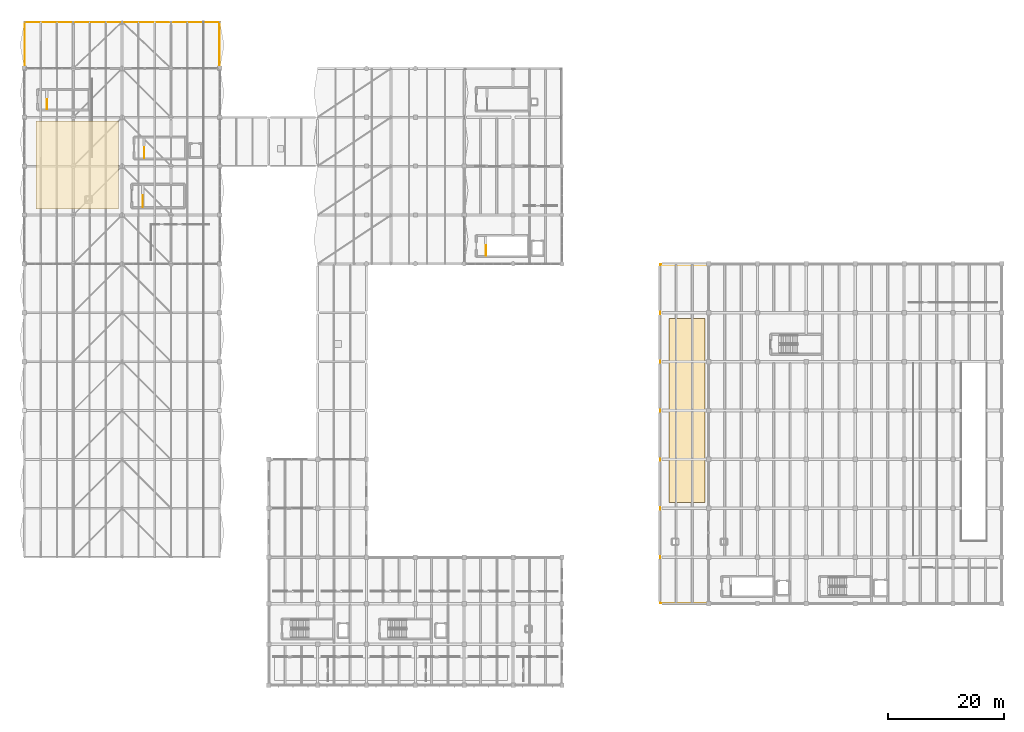
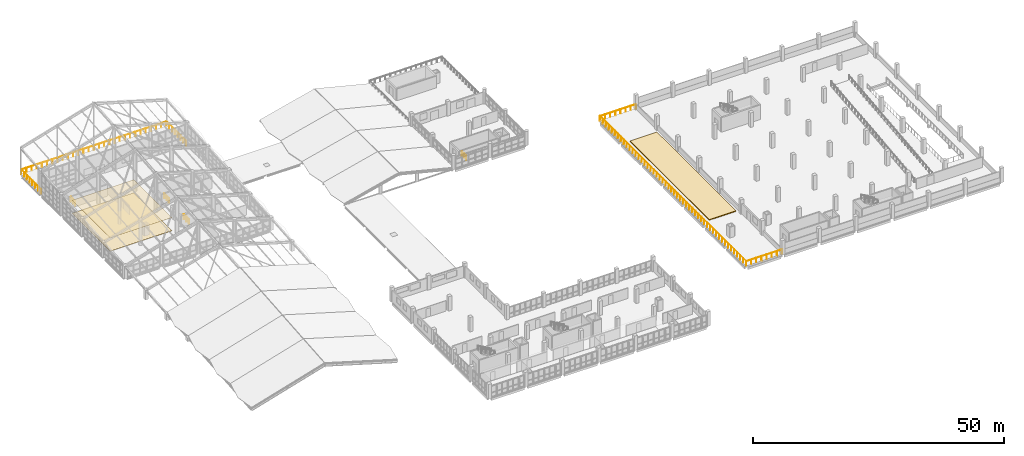
# One storey, part 90 of 95: 6 railings, 3 coverings.
"""IFC4 building model written with IfcOpenShell, lengths in metres."""

import ifcopenshell
import ifcopenshell.guid

model = None  # the IFC model being written
_history = None  # IfcOwnerHistory: only IFC2X3 demands one
_inside = {}  # id of a spatial element -> (the spatial element, [elements in it])
_under = {}  # id of a project, library or spatial element -> (it, [spatial elements below it])
_declared = {}  # id of a project -> (the project, [libraries it declares])
_typed = {}  # id of a type object -> (the type object, [elements of that type])
_made_of = {}  # id of a material, layer set ... -> (it, [elements and type objects made of it])


def new_model(schema):
    """Start an empty IFC model of exactly this schema.

    Asked for "IFC4X3", IfcOpenShell would pick the latest addendum, in which some entities
    have other attributes; the version numbers below select the first issue.
    IFC2X3 requires an IfcOwnerHistory on every rooted entity: one is made here for all.
    """
    global model, _history
    if schema == "IFC4X3":
        model = ifcopenshell.file(schema_version=(4, 3, 0, 0))
    else:
        model = ifcopenshell.file(schema=schema)
    _inside.clear()
    _under.clear()
    _declared.clear()
    _typed.clear()
    _made_of.clear()
    _history = None
    if model.schema == "IFC2X3":
        org = make("IfcOrganization", Name="unknown")
        user = make(
            "IfcPersonAndOrganization",
            ThePerson=make("IfcPerson", FamilyName="unknown"),
            TheOrganization=org,
        )
        app = make(
            "IfcApplication",
            ApplicationDeveloper=org,
            Version="unknown",
            ApplicationFullName="unknown",
            ApplicationIdentifier="unknown",
        )
        _history = make(
            "IfcOwnerHistory",
            OwningUser=user,
            OwningApplication=app,
            ChangeAction="ADDED",
            CreationDate=0,
        )
    return model


def make(cls, **values):
    """One entity of the class cls with the attributes given. An attribute that is None is left unset."""
    return model.create_entity(
        cls, **{name: value for name, value in values.items() if value is not None}
    )


def rooted(cls, **values):
    """An entity with a GlobalId (a new one), such as an element, a storey or a relation."""
    return make(cls, GlobalId=ifcopenshell.guid.new(), OwnerHistory=_history, **values)


def si_unit(unit_type, name, prefix=None):
    """IfcSIUnit, for example si_unit("LENGTHUNIT", "METRE", prefix="MILLI")."""
    return make("IfcSIUnit", UnitType=unit_type, Prefix=prefix, Name=name)


def assignment(units):
    """IfcUnitAssignment: the units of a project."""
    return None if units is None else make("IfcUnitAssignment", Units=units)


def point(xyz):
    """IfcCartesianPoint."""
    return None if xyz is None else make("IfcCartesianPoint", Coordinates=xyz)


def direction(xyz):
    """IfcDirection."""
    return None if xyz is None else make("IfcDirection", DirectionRatios=xyz)


def frame(location, z_axis=None, x_axis=None):
    """IfcAxis2Placement3D, a coordinate frame: its origin and axes. An axis left out is left unset."""
    return make(
        "IfcAxis2Placement3D",
        Location=point(location),
        Axis=direction(z_axis),
        RefDirection=direction(x_axis),
    )


def frame_2d(location, x_axis=None):
    """IfcAxis2Placement2D, a coordinate frame in the plane: its origin and x axis."""
    return make(
        "IfcAxis2Placement2D", Location=point(location), RefDirection=direction(x_axis)
    )


def origin():
    """The frame at (0, 0, 0) with its axes left unset."""
    return frame((0.0, 0.0, 0.0))


def origin_2d():
    """The frame at (0, 0) in the plane with its x axis left unset."""
    return frame_2d((0.0, 0.0))


def place(relative_to, where):
    """IfcLocalPlacement: puts the frame where relative to a parent placement (None: the world)."""
    return make(
        "IfcLocalPlacement", PlacementRelTo=relative_to, RelativePlacement=where
    )


def context(
    kind, dimensions, precision=None, world=None, true_north=None, identifier=None
):
    """IfcGeometricRepresentationContext, for example the 3D "Model" context."""
    return make(
        "IfcGeometricRepresentationContext",
        ContextIdentifier=identifier,
        ContextType=kind,
        CoordinateSpaceDimension=dimensions,
        Precision=precision,
        WorldCoordinateSystem=world,
        TrueNorth=true_north,
    )


def subcontext(parent, identifier, kind, view, scale=None):
    """IfcGeometricRepresentationSubContext, for example "Body" below "Model"."""
    return make(
        "IfcGeometricRepresentationSubContext",
        ContextIdentifier=identifier,
        ContextType=kind,
        ParentContext=parent,
        TargetScale=scale,
        TargetView=view,
    )


def project(units=None, contexts=None):
    """IfcProject with its units and contexts."""
    return rooted(
        "IfcProject",
        Name="project",
        RepresentationContexts=contexts,
        UnitsInContext=assignment(units),
    )


def spatial(cls, under=None, at=None, **own):
    """A site, building, storey or space (cls), placed at a placement, below another one or the project."""
    s = rooted(cls, ObjectPlacement=at, **own)
    if under is not None:
        _under.setdefault(under.id(), (under, []))[1].append(s)
    return s


def polyline(points):
    """IfcPolyline through the points."""
    return make("IfcPolyline", Points=[point(p) for p in points])


def profile(cls, at=None, kind="AREA", **sizes):
    """A parametric profile (cls). Its sizes go by their IFC names, for example OverallWidth=200.0."""
    return make(cls, ProfileType=kind, Position=at, **sizes)


def circle(**sizes):
    """IfcCircleProfileDef."""
    return profile("IfcCircleProfileDef", **sizes)


def outline(outer, holes=None, kind="AREA"):
    """IfcArbitraryClosedProfileDef: a profile drawn as a closed curve; with holes, ...WithVoids."""
    if holes is None:
        return make("IfcArbitraryClosedProfileDef", ProfileType=kind, OuterCurve=outer)
    return make(
        "IfcArbitraryProfileDefWithVoids",
        ProfileType=kind,
        OuterCurve=outer,
        InnerCurves=holes,
    )


def extrude(swept, where, along, depth):
    """IfcExtrudedAreaSolid: the profile swept, set in the frame where, extruded along a direction by depth."""
    return make(
        "IfcExtrudedAreaSolid",
        SweptArea=swept,
        Position=where,
        ExtrudedDirection=direction(along),
        Depth=depth,
    )


def shape(context_of_items, identifier, shape_type, items):
    """IfcShapeRepresentation: the items that make up one representation, for example the "Body"."""
    return make(
        "IfcShapeRepresentation",
        ContextOfItems=context_of_items,
        RepresentationIdentifier=identifier,
        RepresentationType=shape_type,
        Items=items,
    )


def material(Name=None, Category=None):
    """IfcMaterial."""
    return make("IfcMaterial", Name=Name, Category=Category)


def layer(
    of_material, thickness, ventilated=None, Name=None, Category=None, Priority=None
):
    """IfcMaterialLayer: one layer of a wall or slab, of a material (None: an air gap)."""
    return make(
        "IfcMaterialLayer",
        Material=of_material,
        LayerThickness=thickness,
        IsVentilated=ventilated,
        Name=Name,
        Category=Category,
        Priority=Priority,
    )


def layer_set(layers, Name=None):
    """IfcMaterialLayerSet."""
    return make("IfcMaterialLayerSet", MaterialLayers=layers, LayerSetName=Name)


def made_of(thing, what):
    """Note that an element or type object is made of a material, layer set ...; save() writes the relation."""
    if what is not None:
        _made_of.setdefault(what.id(), (what, []))[1].append(thing)
    return thing


def type_object(cls, material=None, **own):
    """A type object (cls), such as IfcWallType, which elements share."""
    return made_of(rooted(cls, **own), material)


def element(
    cls,
    number,
    at=None,
    inside=None,
    cuts=None,
    type_object=None,
    material=None,
    context=None,
    identifier="Body",
    shape_type=None,
    held_by="IfcProductDefinitionShape",
    body=None,
    shapes=None,
    **own,
):
    """One element of the class cls, such as IfcWall. Its Tag is "e" and its number.

    at: its placement. inside: the storey or other place that contains it. cuts: it is an
    opening in that element (IfcRelVoidsElement). A single representation is given by context,
    identifier, shape_type and body (its items); several are given by shapes. held_by: the class
    of the entity that holds the representations. save() writes the other relations.
    """
    e = rooted(cls, Tag="e%d" % number, ObjectPlacement=at, **own)
    if body is not None:
        shapes = [shape(context, identifier, shape_type, body)]
    if shapes is not None:
        e.Representation = make(held_by, Representations=shapes)
    if inside is not None:
        _inside.setdefault(inside.id(), (inside, []))[1].append(e)
    if cuts is not None:
        rooted(
            "IfcRelVoidsElement", RelatingBuildingElement=cuts, RelatedOpeningElement=e
        )
    if type_object is not None:
        _typed.setdefault(type_object.id(), (type_object, []))[1].append(e)
    return made_of(e, material)


def aggregate(whole, parts):
    """IfcRelAggregates: a whole, such as a stair, and the parts it consists of."""
    return rooted("IfcRelAggregates", RelatingObject=whole, RelatedObjects=parts)


def save(model, path):
    """Write the relations noted so far, then the file.

    IfcRelAggregates (storeys below a building ...), IfcRelContainedInSpatialStructure (elements
    in a storey), IfcRelDefinesByType, IfcRelAssociatesMaterial and IfcRelDeclares: one each for
    every whole, place, type object, material and project.
    """
    for whole, parts in _under.values():
        aggregate(whole, parts)
    for where, things in _inside.values():
        rooted(
            "IfcRelContainedInSpatialStructure",
            RelatedElements=things,
            RelatingStructure=where,
        )
    for kind, things in _typed.values():
        rooted("IfcRelDefinesByType", RelatedObjects=things, RelatingType=kind)
    for what, things in _made_of.values():
        rooted("IfcRelAssociatesMaterial", RelatedObjects=things, RelatingMaterial=what)
    for by, libraries in _declared.values():
        rooted("IfcRelDeclares", RelatingContext=by, RelatedDefinitions=libraries)
    model.write(path)


model = new_model("IFC4")

# Units and contexts
model_context = context("Model", 3, precision=1e-05, world=origin(), true_north=direction((0.0, 1.0)))
body_context = subcontext(model_context, "Body", "Model", "MODEL_VIEW")
ifc_project = project(units=[si_unit("LENGTHUNIT", "METRE"), si_unit("AREAUNIT", "SQUARE_METRE"), si_unit("VOLUMEUNIT", "CUBIC_METRE"), si_unit("PLANEANGLEUNIT", "RADIAN"), si_unit("MASSUNIT", "GRAM", prefix="KILO"), si_unit("THERMODYNAMICTEMPERATUREUNIT", "KELVIN"), si_unit("POWERUNIT", "WATT")], contexts=[model_context])

# Site, building, storey
site_placement = place(None, origin())
site = spatial("IfcSite", under=ifc_project, at=site_placement, CompositionType="ELEMENT")
building_placement = place(site_placement, origin())
building = spatial("IfcBuilding", under=site, at=building_placement, Name="Mavoryth Pier Ferry Terminal", CompositionType="ELEMENT")
storey_placement = place(building_placement, frame((0.0, 0.0, 9.60009765625)))
storey = spatial("IfcBuildingStorey", under=building, at=storey_placement, Name="L02", CompositionType="ELEMENT", Elevation=9.60009765625)

# Coverings
ifc_material_1 = material(Name="FSC Oak Acoustic Linear Slat Ceiling")
ifc_layer_1 = layer(ifc_material_1, 0.0380859375, Name="FSC Oak Acoustic Linear Slat Ceiling")
ifc_layer_set_1 = layer_set([ifc_layer_1], Name="FSC Oak Acoustic Linear Slat Ceiling - Ceil-TimberSlat-38")
covering_type_1 = type_object("IfcCoveringType", Name="Ceil-TimberSlat-38", PredefinedType="CEILING", material=ifc_layer_set_1)
covering_1_placement = place(storey_placement, frame((0.0, 0.0, 3.201904296875)))
element("IfcCovering", 1, at=covering_1_placement, inside=storey, type_object=covering_type_1, Name="Covering COV-L02-010", PredefinedType="CEILING", context=body_context, shape_type="SweptSolid", body=[
    extrude(outline(polyline([(2.0, 81.800048828125), (16.199951171875, 81.800048828125), (16.199951171875, 97.0), (2.0, 97.0), (2.0, 81.800048828125)])), origin(), (0.0, 0.0, 1.0), 0.0380859375),
])
ifc_material_2 = material(Name="Polished Pentelic Marble-Chip Terrazzo", Category="masonry")
ifc_layer_2 = layer(ifc_material_2, 0.054931640625, Name="Polished Pentelic Marble-Chip Terrazzo", Category="masonry")
ifc_layer_set_2 = layer_set([ifc_layer_2], Name="Polished Pentelic Marble-Chip Terrazzo - Floor-PentelicTerrazzo-55")
covering_type_2 = type_object("IfcCoveringType", Name="Floor-PentelicTerrazzo-55", PredefinedType="FLOORING", material=ifc_layer_set_2)
covering_2_placement = place(storey_placement, origin())
element("IfcCovering", 2, at=covering_2_placement, inside=storey, type_object=covering_type_2, Name="Covering COV-L02-009", PredefinedType="FLOORING", context=body_context, shape_type="SweptSolid", body=[
    extrude(outline(polyline([(2.0, 81.800048828125), (16.199951171875, 81.800048828125), (16.199951171875, 97.0), (2.0, 97.0), (2.0, 81.800048828125)])), origin(), (0.0, 0.0, 1.0), 0.054931640625),
])

# Railings
ifc_material_3 = material(Name="Bronze-Anodised Aluminium and Glass Balustrade", Category="aluminium")
railing_type_1 = type_object("IfcRailingType", Name="Guard-Atrium-Bronze1150", PredefinedType="GUARDRAIL", material=ifc_material_3)
railing_1_placement = place(storey_placement, frame((20.35009765625, 82.199951171875, 0.0)))
element("IfcRailing", 3, at=railing_1_placement, inside=storey, type_object=railing_type_1, Name="L02 ST14 top well guard 1", PredefinedType="GUARDRAIL", context=body_context, shape_type="SweptSolid", body=[
    extrude(circle(Radius=0.02392578125, at=origin_2d()), frame((0.0, 0.0, 1.1259765625), z_axis=(0.0, 1.0, 0.0), x_axis=(-1.0, 0.0, 0.0)), (0.0, 0.0, 1.0), 1.949951171875),
    extrude(circle(Radius=0.02099609375, at=origin_2d()), origin(), (0.0, 0.0, 1.0), 1.101806640625),
    extrude(circle(Radius=0.02099609375, at=origin_2d()), frame((0.0, 0.97509765625, 0.0)), (0.0, 0.0, 1.0), 1.101806640625),
    extrude(circle(Radius=0.02099609375, at=origin_2d()), frame((0.0, 1.949951171875, 0.0)), (0.0, 0.0, 1.0), 1.101806640625),
])
ifc_material_4 = material(Name="Painted Galvanised Steel Balustrade", Category="steel")
railing_type_2 = type_object("IfcRailingType", Name="Guard-Stair-Steel1100", PredefinedType="GUARDRAIL", material=ifc_material_4)
railing_2_placement = place(storey_placement, frame((20.60009765625, 90.60009765625, 0.0)))
element("IfcRailing", 4, at=railing_2_placement, inside=storey, type_object=railing_type_2, Name="L02 ST02 top well guard 1", PredefinedType="GUARDRAIL", context=body_context, shape_type="SweptSolid", body=[
    extrude(circle(Radius=0.02392578125, at=origin_2d()), frame((0.0, 0.0, 1.076171875), z_axis=(0.0, 1.0, 0.0), x_axis=(-1.0, 0.0, 0.0)), (0.0, 0.0, 1.0), 1.7998046875),
    extrude(circle(Radius=0.02099609375, at=origin_2d()), origin(), (0.0, 0.0, 1.0), 1.052001953125),
    extrude(circle(Radius=0.02099609375, at=origin_2d()), frame((0.0, 0.89990234375, 0.0)), (0.0, 0.0, 1.0), 1.052001953125),
    extrude(circle(Radius=0.02099609375, at=origin_2d()), frame((0.0, 1.7998046875, 0.0)), (0.0, 0.0, 1.0), 1.052001953125),
])
railing_3_placement = place(storey_placement, frame((3.89990234375, 99.0, 0.0)))
element("IfcRailing", 5, at=railing_3_placement, inside=storey, type_object=railing_type_2, Name="L02 ST03 top well guard 1", PredefinedType="GUARDRAIL", context=body_context, shape_type="SweptSolid", body=[
    extrude(circle(Radius=0.02392578125, at=origin_2d()), frame((0.0, 0.0, 1.076171875), z_axis=(0.0, 1.0, 0.0), x_axis=(-1.0, 0.0, 0.0)), (0.0, 0.0, 1.0), 1.699951171875),
    extrude(circle(Radius=0.02099609375, at=origin_2d()), origin(), (0.0, 0.0, 1.0), 1.052001953125),
    extrude(circle(Radius=0.02099609375, at=origin_2d()), frame((0.0, 0.85009765625, 0.0)), (0.0, 0.0, 1.0), 1.052001953125),
    extrude(circle(Radius=0.02099609375, at=origin_2d()), frame((0.0, 1.699951171875, 0.0)), (0.0, 0.0, 1.0), 1.052001953125),
])
railing_4_placement = place(storey_placement, frame((79.35009765625, 73.800048828125, 0.0)))
element("IfcRailing", 6, at=railing_4_placement, inside=storey, type_object=railing_type_2, Name="L02 ST05 top well guard 1", PredefinedType="GUARDRAIL", context=body_context, shape_type="SweptSolid", body=[
    extrude(circle(Radius=0.02392578125, at=origin_2d()), frame((0.0, 0.0, 1.076171875), z_axis=(0.0, 1.0, 0.0), x_axis=(-1.0, 0.0, 0.0)), (0.0, 0.0, 1.0), 1.75),
    extrude(circle(Radius=0.02099609375, at=origin_2d()), origin(), (0.0, 0.0, 1.0), 1.052001953125),
    extrude(circle(Radius=0.02099609375, at=origin_2d()), frame((0.0, 0.875, 0.0)), (0.0, 0.0, 1.0), 1.052001953125),
    extrude(circle(Radius=0.02099609375, at=origin_2d()), frame((0.0, 1.75, 0.0)), (0.0, 0.0, 1.0), 1.052001953125),
])
ifc_material_5 = material(Name="Stainless Steel and Laminated Glass Guardrail", Category="steel")
railing_type_3 = type_object("IfcRailingType", Name="Guard-Terrace-Glass1120", PredefinedType="GUARDRAIL", material=ifc_material_5)
railing_5_placement = place(storey_placement, frame((0.080078125, 106.050048828125, 0.0)))
element("IfcRailing", 7, at=railing_5_placement, inside=storey, type_object=railing_type_3, Name="Guardrail GRD-L02-001", PredefinedType="GUARDRAIL", context=body_context, shape_type="SweptSolid", body=[
    extrude(circle(Radius=0.02392578125, at=origin_2d()), frame((0.0, 0.0, 1.09619140625), z_axis=(0.0, 1.0, 0.0), x_axis=(-1.0, 0.0, 0.0)), (0.0, 0.0, 1.0), 7.869873046875),
    extrude(circle(Radius=0.02392578125, at=origin_2d()), frame((0.0, 7.869873046875, 1.09619140625), z_axis=(1.0, 0.0, 0.0), x_axis=(0.0, 1.0, 0.0)), (0.0, 0.0, 1.0), 33.43994140625),
    extrude(circle(Radius=0.02392578125, at=origin_2d()), frame((33.43994140625, 7.869873046875, 1.09619140625), z_axis=(0.0, -1.0, 0.0), x_axis=(1.0, 0.0, 0.0)), (0.0, 0.0, 1.0), 7.869873046875),
    extrude(circle(Radius=0.02099609375, at=origin_2d()), origin(), (0.0, 0.0, 1.0), 1.072021484375),
    extrude(circle(Radius=0.02099609375, at=origin_2d()), frame((0.0, 1.124267578125, 0.0)), (0.0, 0.0, 1.0), 1.072021484375),
    extrude(circle(Radius=0.02099609375, at=origin_2d()), frame((0.0, 2.24853515625, 0.0)), (0.0, 0.0, 1.0), 1.072021484375),
    extrude(circle(Radius=0.02099609375, at=origin_2d()), frame((0.0, 3.372802734375, 0.0)), (0.0, 0.0, 1.0), 1.072021484375),
    extrude(circle(Radius=0.02099609375, at=origin_2d()), frame((0.0, 4.4970703125, 0.0)), (0.0, 0.0, 1.0), 1.072021484375),
    extrude(circle(Radius=0.02099609375, at=origin_2d()), frame((0.0, 5.621337890625, 0.0)), (0.0, 0.0, 1.0), 1.072021484375),
    extrude(circle(Radius=0.02099609375, at=origin_2d()), frame((0.0, 6.74560546875, 0.0)), (0.0, 0.0, 1.0), 1.072021484375),
    extrude(circle(Radius=0.02099609375, at=origin_2d()), frame((0.0, 7.869873046875, 0.0)), (0.0, 0.0, 1.0), 1.072021484375),
    extrude(circle(Radius=0.02099609375, at=origin_2d()), frame((1.1943359375, 7.869873046875, 0.0)), (0.0, 0.0, 1.0), 1.072021484375),
    extrude(circle(Radius=0.02099609375, at=origin_2d()), frame((2.388671875, 7.869873046875, 0.0)), (0.0, 0.0, 1.0), 1.072021484375),
    extrude(circle(Radius=0.02099609375, at=origin_2d()), frame((3.582763671875, 7.869873046875, 0.0)), (0.0, 0.0, 1.0), 1.072021484375),
    extrude(circle(Radius=0.02099609375, at=origin_2d()), frame((4.777099609375, 7.869873046875, 0.0)), (0.0, 0.0, 1.0), 1.072021484375),
    extrude(circle(Radius=0.02099609375, at=origin_2d()), frame((5.971435546875, 7.869873046875, 0.0)), (0.0, 0.0, 1.0), 1.072021484375),
    extrude(circle(Radius=0.02099609375, at=origin_2d()), frame((7.165771484375, 7.869873046875, 0.0)), (0.0, 0.0, 1.0), 1.072021484375),
    extrude(circle(Radius=0.02099609375, at=origin_2d()), frame((8.35986328125, 7.869873046875, 0.0)), (0.0, 0.0, 1.0), 1.072021484375),
    extrude(circle(Radius=0.02099609375, at=origin_2d()), frame((9.55419921875, 7.869873046875, 0.0)), (0.0, 0.0, 1.0), 1.072021484375),
    extrude(circle(Radius=0.02099609375, at=origin_2d()), frame((10.74853515625, 7.869873046875, 0.0)), (0.0, 0.0, 1.0), 1.072021484375),
    extrude(circle(Radius=0.02099609375, at=origin_2d()), frame((11.94287109375, 7.869873046875, 0.0)), (0.0, 0.0, 1.0), 1.072021484375),
    extrude(circle(Radius=0.02099609375, at=origin_2d()), frame((13.13720703125, 7.869873046875, 0.0)), (0.0, 0.0, 1.0), 1.072021484375),
    extrude(circle(Radius=0.02099609375, at=origin_2d()), frame((14.331298828125, 7.869873046875, 0.0)), (0.0, 0.0, 1.0), 1.072021484375),
    extrude(circle(Radius=0.02099609375, at=origin_2d()), frame((15.525634765625, 7.869873046875, 0.0)), (0.0, 0.0, 1.0), 1.072021484375),
    extrude(circle(Radius=0.02099609375, at=origin_2d()), frame((16.719970703125, 7.869873046875, 0.0)), (0.0, 0.0, 1.0), 1.072021484375),
    extrude(circle(Radius=0.02099609375, at=origin_2d()), frame((17.914306640625, 7.869873046875, 0.0)), (0.0, 0.0, 1.0), 1.072021484375),
    extrude(circle(Radius=0.02099609375, at=origin_2d()), frame((19.108642578125, 7.869873046875, 0.0)), (0.0, 0.0, 1.0), 1.072021484375),
    extrude(circle(Radius=0.02099609375, at=origin_2d()), frame((20.302734375, 7.869873046875, 0.0)), (0.0, 0.0, 1.0), 1.072021484375),
    extrude(circle(Radius=0.02099609375, at=origin_2d()), frame((21.4970703125, 7.869873046875, 0.0)), (0.0, 0.0, 1.0), 1.072021484375),
    extrude(circle(Radius=0.02099609375, at=origin_2d()), frame((22.69140625, 7.869873046875, 0.0)), (0.0, 0.0, 1.0), 1.072021484375),
    extrude(circle(Radius=0.02099609375, at=origin_2d()), frame((23.8857421875, 7.869873046875, 0.0)), (0.0, 0.0, 1.0), 1.072021484375),
    extrude(circle(Radius=0.02099609375, at=origin_2d()), frame((25.080078125, 7.869873046875, 0.0)), (0.0, 0.0, 1.0), 1.072021484375),
    extrude(circle(Radius=0.02099609375, at=origin_2d()), frame((26.274169921875, 7.869873046875, 0.0)), (0.0, 0.0, 1.0), 1.072021484375),
    extrude(circle(Radius=0.02099609375, at=origin_2d()), frame((27.468505859375, 7.869873046875, 0.0)), (0.0, 0.0, 1.0), 1.072021484375),
    extrude(circle(Radius=0.02099609375, at=origin_2d()), frame((28.662841796875, 7.869873046875, 0.0)), (0.0, 0.0, 1.0), 1.072021484375),
    extrude(circle(Radius=0.02099609375, at=origin_2d()), frame((29.857177734375, 7.869873046875, 0.0)), (0.0, 0.0, 1.0), 1.072021484375),
    extrude(circle(Radius=0.02099609375, at=origin_2d()), frame((31.05126953125, 7.869873046875, 0.0)), (0.0, 0.0, 1.0), 1.072021484375),
    extrude(circle(Radius=0.02099609375, at=origin_2d()), frame((32.24560546875, 7.869873046875, 0.0)), (0.0, 0.0, 1.0), 1.072021484375),
    extrude(circle(Radius=0.02099609375, at=origin_2d()), frame((33.43994140625, 7.869873046875, 0.0)), (0.0, 0.0, 1.0), 1.072021484375),
    extrude(circle(Radius=0.02099609375, at=origin_2d()), frame((33.43994140625, 6.74560546875, 0.0)), (0.0, 0.0, 1.0), 1.072021484375),
    extrude(circle(Radius=0.02099609375, at=origin_2d()), frame((33.43994140625, 5.621337890625, 0.0)), (0.0, 0.0, 1.0), 1.072021484375),
    extrude(circle(Radius=0.02099609375, at=origin_2d()), frame((33.43994140625, 4.4970703125, 0.0)), (0.0, 0.0, 1.0), 1.072021484375),
    extrude(circle(Radius=0.02099609375, at=origin_2d()), frame((33.43994140625, 3.372802734375, 0.0)), (0.0, 0.0, 1.0), 1.072021484375),
    extrude(circle(Radius=0.02099609375, at=origin_2d()), frame((33.43994140625, 2.24853515625, 0.0)), (0.0, 0.0, 1.0), 1.072021484375),
    extrude(circle(Radius=0.02099609375, at=origin_2d()), frame((33.43994140625, 1.124267578125, 0.0)), (0.0, 0.0, 1.0), 1.072021484375),
    extrude(circle(Radius=0.02099609375, at=origin_2d()), frame((33.43994140625, 0.0, 0.0)), (0.0, 0.0, 1.0), 1.072021484375),
])
railing_6_placement = place(storey_placement, frame((117.550048828125, 14.080078125, 0.0)))
element("IfcRailing", 8, at=railing_6_placement, inside=storey, type_object=railing_type_3, Name="Guardrail GRD-L02-006", PredefinedType="GUARDRAIL", context=body_context, shape_type="SweptSolid", body=[
    extrude(circle(Radius=0.02392578125, at=origin_2d()), frame((0.0, 0.0, 1.09619140625), z_axis=(-1.0, 0.0, 0.0), x_axis=(0.0, -1.0, 0.0)), (0.0, 0.0, 1.0), 8.27001953125),
    extrude(circle(Radius=0.02392578125, at=origin_2d()), frame((-8.27001953125, 0.0, 1.09619140625), z_axis=(0.0, 1.0, 0.0), x_axis=(-1.0, 0.0, 0.0)), (0.0, 0.0, 1.0), 58.239990234375),
    extrude(circle(Radius=0.02392578125, at=origin_2d()), frame((-8.27001953125, 58.239990234375, 1.09619140625), z_axis=(1.0, 0.0, 0.0), x_axis=(0.0, 1.0, 0.0)), (0.0, 0.0, 1.0), 8.27001953125),
    extrude(circle(Radius=0.02099609375, at=origin_2d()), origin(), (0.0, 0.0, 1.0), 1.072021484375),
    extrude(circle(Radius=0.02099609375, at=origin_2d()), frame((-1.181396484375, 0.0, 0.0)), (0.0, 0.0, 1.0), 1.072021484375),
    extrude(circle(Radius=0.02099609375, at=origin_2d()), frame((-2.36279296875, 0.0, 0.0)), (0.0, 0.0, 1.0), 1.072021484375),
    extrude(circle(Radius=0.02099609375, at=origin_2d()), frame((-3.544189453125, 0.0, 0.0)), (0.0, 0.0, 1.0), 1.072021484375),
    extrude(circle(Radius=0.02099609375, at=origin_2d()), frame((-4.725830078125, 0.0, 0.0)), (0.0, 0.0, 1.0), 1.072021484375),
    extrude(circle(Radius=0.02099609375, at=origin_2d()), frame((-5.9072265625, 0.0, 0.0)), (0.0, 0.0, 1.0), 1.072021484375),
    extrude(circle(Radius=0.02099609375, at=origin_2d()), frame((-7.088623046875, 0.0, 0.0)), (0.0, 0.0, 1.0), 1.072021484375),
    extrude(circle(Radius=0.02099609375, at=origin_2d()), frame((-8.27001953125, 0.0, 0.0)), (0.0, 0.0, 1.0), 1.072021484375),
    extrude(circle(Radius=0.02099609375, at=origin_2d()), frame((-8.27001953125, 1.1884765625, 0.0)), (0.0, 0.0, 1.0), 1.072021484375),
    extrude(circle(Radius=0.02099609375, at=origin_2d()), frame((-8.27001953125, 2.377197265625, 0.0)), (0.0, 0.0, 1.0), 1.072021484375),
    extrude(circle(Radius=0.02099609375, at=origin_2d()), frame((-8.27001953125, 3.565673828125, 0.0)), (0.0, 0.0, 1.0), 1.072021484375),
    extrude(circle(Radius=0.02099609375, at=origin_2d()), frame((-8.27001953125, 4.75439453125, 0.0)), (0.0, 0.0, 1.0), 1.072021484375),
    extrude(circle(Radius=0.02099609375, at=origin_2d()), frame((-8.27001953125, 5.94287109375, 0.0)), (0.0, 0.0, 1.0), 1.072021484375),
    extrude(circle(Radius=0.02099609375, at=origin_2d()), frame((-8.27001953125, 7.13134765625, 0.0)), (0.0, 0.0, 1.0), 1.072021484375),
    extrude(circle(Radius=0.02099609375, at=origin_2d()), frame((-8.27001953125, 8.320068359375, 0.0)), (0.0, 0.0, 1.0), 1.072021484375),
    extrude(circle(Radius=0.02099609375, at=origin_2d()), frame((-8.27001953125, 9.508544921875, 0.0)), (0.0, 0.0, 1.0), 1.072021484375),
    extrude(circle(Radius=0.02099609375, at=origin_2d()), frame((-8.27001953125, 10.697021484375, 0.0)), (0.0, 0.0, 1.0), 1.072021484375),
    extrude(circle(Radius=0.02099609375, at=origin_2d()), frame((-8.27001953125, 11.8857421875, 0.0)), (0.0, 0.0, 1.0), 1.072021484375),
    extrude(circle(Radius=0.02099609375, at=origin_2d()), frame((-8.27001953125, 13.07421875, 0.0)), (0.0, 0.0, 1.0), 1.072021484375),
    extrude(circle(Radius=0.02099609375, at=origin_2d()), frame((-8.27001953125, 14.262939453125, 0.0)), (0.0, 0.0, 1.0), 1.072021484375),
    extrude(circle(Radius=0.02099609375, at=origin_2d()), frame((-8.27001953125, 15.451416015625, 0.0)), (0.0, 0.0, 1.0), 1.072021484375),
    extrude(circle(Radius=0.02099609375, at=origin_2d()), frame((-8.27001953125, 16.639892578125, 0.0)), (0.0, 0.0, 1.0), 1.072021484375),
    extrude(circle(Radius=0.02099609375, at=origin_2d()), frame((-8.27001953125, 17.82861328125, 0.0)), (0.0, 0.0, 1.0), 1.072021484375),
    extrude(circle(Radius=0.02099609375, at=origin_2d()), frame((-8.27001953125, 19.01708984375, 0.0)), (0.0, 0.0, 1.0), 1.072021484375),
    extrude(circle(Radius=0.02099609375, at=origin_2d()), frame((-8.27001953125, 20.205810546875, 0.0)), (0.0, 0.0, 1.0), 1.072021484375),
    extrude(circle(Radius=0.02099609375, at=origin_2d()), frame((-8.27001953125, 21.394287109375, 0.0)), (0.0, 0.0, 1.0), 1.072021484375),
    extrude(circle(Radius=0.02099609375, at=origin_2d()), frame((-8.27001953125, 22.582763671875, 0.0)), (0.0, 0.0, 1.0), 1.072021484375),
    extrude(circle(Radius=0.02099609375, at=origin_2d()), frame((-8.27001953125, 23.771484375, 0.0)), (0.0, 0.0, 1.0), 1.072021484375),
    extrude(circle(Radius=0.02099609375, at=origin_2d()), frame((-8.27001953125, 24.9599609375, 0.0)), (0.0, 0.0, 1.0), 1.072021484375),
    extrude(circle(Radius=0.02099609375, at=origin_2d()), frame((-8.27001953125, 26.148681640625, 0.0)), (0.0, 0.0, 1.0), 1.072021484375),
    extrude(circle(Radius=0.02099609375, at=origin_2d()), frame((-8.27001953125, 27.337158203125, 0.0)), (0.0, 0.0, 1.0), 1.072021484375),
    extrude(circle(Radius=0.02099609375, at=origin_2d()), frame((-8.27001953125, 28.525634765625, 0.0)), (0.0, 0.0, 1.0), 1.072021484375),
    extrude(circle(Radius=0.02099609375, at=origin_2d()), frame((-8.27001953125, 29.71435546875, 0.0)), (0.0, 0.0, 1.0), 1.072021484375),
    extrude(circle(Radius=0.02099609375, at=origin_2d()), frame((-8.27001953125, 30.90283203125, 0.0)), (0.0, 0.0, 1.0), 1.072021484375),
    extrude(circle(Radius=0.02099609375, at=origin_2d()), frame((-8.27001953125, 32.09130859375, 0.0)), (0.0, 0.0, 1.0), 1.072021484375),
    extrude(circle(Radius=0.02099609375, at=origin_2d()), frame((-8.27001953125, 33.280029296875, 0.0)), (0.0, 0.0, 1.0), 1.072021484375),
    extrude(circle(Radius=0.02099609375, at=origin_2d()), frame((-8.27001953125, 34.468505859375, 0.0)), (0.0, 0.0, 1.0), 1.072021484375),
    extrude(circle(Radius=0.02099609375, at=origin_2d()), frame((-8.27001953125, 35.6572265625, 0.0)), (0.0, 0.0, 1.0), 1.072021484375),
    extrude(circle(Radius=0.02099609375, at=origin_2d()), frame((-8.27001953125, 36.845703125, 0.0)), (0.0, 0.0, 1.0), 1.072021484375),
    extrude(circle(Radius=0.02099609375, at=origin_2d()), frame((-8.27001953125, 38.0341796875, 0.0)), (0.0, 0.0, 1.0), 1.072021484375),
    extrude(circle(Radius=0.02099609375, at=origin_2d()), frame((-8.27001953125, 39.222900390625, 0.0)), (0.0, 0.0, 1.0), 1.072021484375),
    extrude(circle(Radius=0.02099609375, at=origin_2d()), frame((-8.27001953125, 40.411376953125, 0.0)), (0.0, 0.0, 1.0), 1.072021484375),
    extrude(circle(Radius=0.02099609375, at=origin_2d()), frame((-8.27001953125, 41.60009765625, 0.0)), (0.0, 0.0, 1.0), 1.072021484375),
    extrude(circle(Radius=0.02099609375, at=origin_2d()), frame((-8.27001953125, 42.78857421875, 0.0)), (0.0, 0.0, 1.0), 1.072021484375),
    extrude(circle(Radius=0.02099609375, at=origin_2d()), frame((-8.27001953125, 43.97705078125, 0.0)), (0.0, 0.0, 1.0), 1.072021484375),
    extrude(circle(Radius=0.02099609375, at=origin_2d()), frame((-8.27001953125, 45.165771484375, 0.0)), (0.0, 0.0, 1.0), 1.072021484375),
    extrude(circle(Radius=0.02099609375, at=origin_2d()), frame((-8.27001953125, 46.354248046875, 0.0)), (0.0, 0.0, 1.0), 1.072021484375),
    extrude(circle(Radius=0.02099609375, at=origin_2d()), frame((-8.27001953125, 47.54296875, 0.0)), (0.0, 0.0, 1.0), 1.072021484375),
    extrude(circle(Radius=0.02099609375, at=origin_2d()), frame((-8.27001953125, 48.7314453125, 0.0)), (0.0, 0.0, 1.0), 1.072021484375),
    extrude(circle(Radius=0.02099609375, at=origin_2d()), frame((-8.27001953125, 49.919921875, 0.0)), (0.0, 0.0, 1.0), 1.072021484375),
    extrude(circle(Radius=0.02099609375, at=origin_2d()), frame((-8.27001953125, 51.108642578125, 0.0)), (0.0, 0.0, 1.0), 1.072021484375),
    extrude(circle(Radius=0.02099609375, at=origin_2d()), frame((-8.27001953125, 52.297119140625, 0.0)), (0.0, 0.0, 1.0), 1.072021484375),
    extrude(circle(Radius=0.02099609375, at=origin_2d()), frame((-8.27001953125, 53.485595703125, 0.0)), (0.0, 0.0, 1.0), 1.072021484375),
    extrude(circle(Radius=0.02099609375, at=origin_2d()), frame((-8.27001953125, 54.67431640625, 0.0)), (0.0, 0.0, 1.0), 1.072021484375),
    extrude(circle(Radius=0.02099609375, at=origin_2d()), frame((-8.27001953125, 55.86279296875, 0.0)), (0.0, 0.0, 1.0), 1.072021484375),
    extrude(circle(Radius=0.02099609375, at=origin_2d()), frame((-8.27001953125, 57.051513671875, 0.0)), (0.0, 0.0, 1.0), 1.072021484375),
    extrude(circle(Radius=0.02099609375, at=origin_2d()), frame((-8.27001953125, 58.239990234375, 0.0)), (0.0, 0.0, 1.0), 1.072021484375),
    extrude(circle(Radius=0.02099609375, at=origin_2d()), frame((-7.088623046875, 58.239990234375, 0.0)), (0.0, 0.0, 1.0), 1.072021484375),
    extrude(circle(Radius=0.02099609375, at=origin_2d()), frame((-5.9072265625, 58.239990234375, 0.0)), (0.0, 0.0, 1.0), 1.072021484375),
    extrude(circle(Radius=0.02099609375, at=origin_2d()), frame((-4.725830078125, 58.239990234375, 0.0)), (0.0, 0.0, 1.0), 1.072021484375),
    extrude(circle(Radius=0.02099609375, at=origin_2d()), frame((-3.544189453125, 58.239990234375, 0.0)), (0.0, 0.0, 1.0), 1.072021484375),
    extrude(circle(Radius=0.02099609375, at=origin_2d()), frame((-2.36279296875, 58.239990234375, 0.0)), (0.0, 0.0, 1.0), 1.072021484375),
    extrude(circle(Radius=0.02099609375, at=origin_2d()), frame((-1.181396484375, 58.239990234375, 0.0)), (0.0, 0.0, 1.0), 1.072021484375),
    extrude(circle(Radius=0.02099609375, at=origin_2d()), frame((0.0, 58.239990234375, 0.0)), (0.0, 0.0, 1.0), 1.072021484375),
])

# Covering
ifc_material_6 = material(Name="Mediterranean Extensive Planted Roof Substrate")
ifc_layer_3 = layer(ifc_material_6, 0.179931640625, Name="Mediterranean Extensive Planted Roof Substrate")
ifc_layer_set_3 = layer_set([ifc_layer_3], Name="Mediterranean Extensive Planted Roof Substrate - Roof-PlantedGarden-180")
covering_type_3 = type_object("IfcCoveringType", Name="Roof-PlantedGarden-180", PredefinedType="ROOFING", material=ifc_layer_set_3)
covering_3_placement = place(storey_placement, origin())
element("IfcCovering", 9, at=covering_3_placement, inside=storey, type_object=covering_type_3, Name="Covering COV-L02-017", PredefinedType="ROOFING", context=body_context, shape_type="SweptSolid", body=[
    extrude(outline(polyline([(110.800048828125, 31.39990234375), (117.0, 31.39990234375), (117.0, 63.0), (110.800048828125, 63.0), (110.800048828125, 31.39990234375)])), origin(), (0.0, 0.0, 1.0), 0.179931640625),
])

save(model, "model.ifc")
